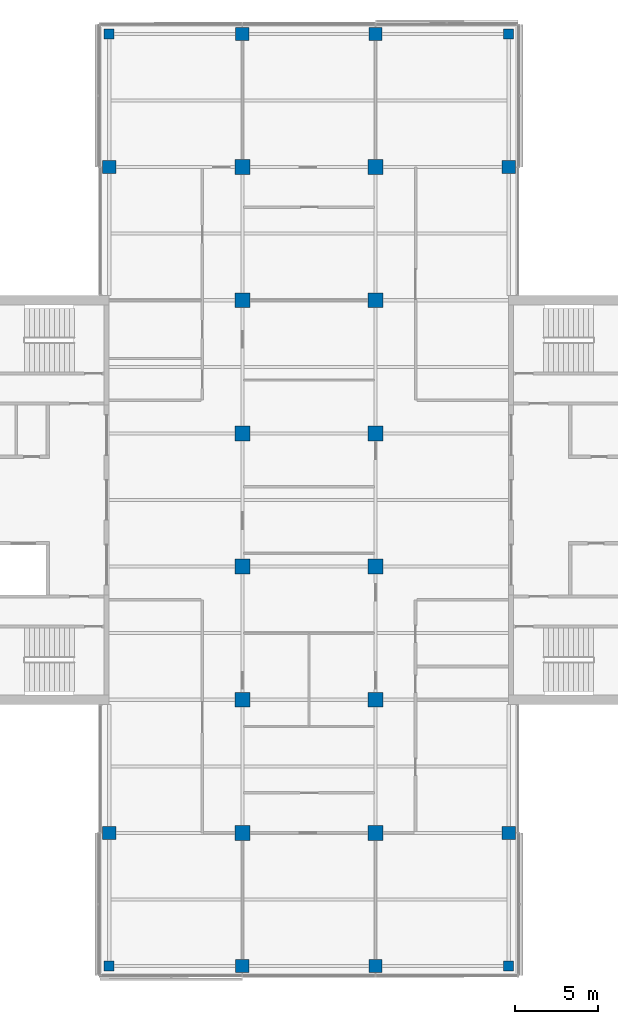
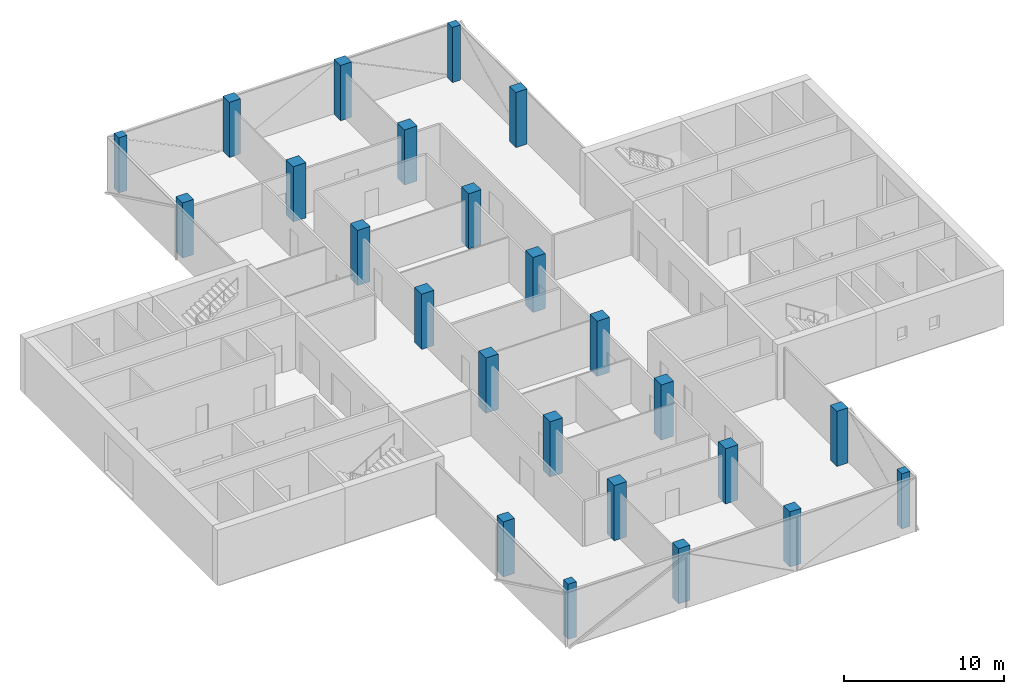
# One storey, part 1 of 15: 24 columns.
"""IFC4 building model written with IfcOpenShell, lengths in metres."""

from ifc_helpers import new_model, si_unit, direction, frame, origin, origin_2d, place, context, subcontext, project, spatial, rectangle, extrude, material, material_profile, profile_set, type_object, element, save


model = new_model("IFC4")

# Units and contexts
model_context = context("Model", 3, precision=1e-05, world=origin(), true_north=direction((0.0, 1.0)))
body_context = subcontext(model_context, "Body", "Model", "MODEL_VIEW")
ifc_project = project(units=[si_unit("LENGTHUNIT", "METRE"), si_unit("AREAUNIT", "SQUARE_METRE"), si_unit("VOLUMEUNIT", "CUBIC_METRE"), si_unit("PLANEANGLEUNIT", "RADIAN"), si_unit("MASSUNIT", "GRAM", prefix="KILO")], contexts=[model_context])

# Site, building, storey
site_placement = place(None, origin())
site = spatial("IfcSite", under=ifc_project, at=site_placement, CompositionType="ELEMENT")
building_placement = place(site_placement, origin())
building = spatial("IfcBuilding", under=site, at=building_placement, Name="Crosswind Convention Tower", CompositionType="ELEMENT")
storey_placement = place(building_placement, frame((0.0, 0.0, 183.10009765625)))
storey = spatial("IfcBuildingStorey", under=building, at=storey_placement, Name="L38", CompositionType="ELEMENT", Elevation=183.10009765625)

# Columns
ifc_material = material(Name="Concrete C60/75", Category="concrete")
ifc_material_profile_1 = material_profile(ifc_material, rectangle(XDim=0.60009765625, YDim=0.60009765625, at=origin_2d()), Name="RC 600X600")
ifc_profile_set_1 = profile_set([ifc_material_profile_1], Name="Concrete C60/75")
column_type_1 = type_object("IfcColumnType", Name="Column RC 600X600", PredefinedType="COLUMN", material=ifc_profile_set_1)
for number, where, z_axis, x_axis, name in (
    (1, (113.0, 72.0, 0.0), (0.0, 0.0, 1.0), (1.0, 0.0, 0.0), "C16 L38 5/C"),
    (2, (113.0, 128.0, 0.0), (0.0, 0.0, 1.0), (1.0, 0.0, 0.0), "C16 L38 5/J"),
    (3, (137.0, 72.0, 0.0), (0.0, 0.0, 1.0), (1.0, 0.0, 0.0), "C16 L38 8/C"),
    (4, (137.0, 128.0, 0.0), (0.0, 0.0, 1.0), (1.0, 0.0, 0.0), "C16 L38 8/J"),
):
    element("IfcColumn", number, at=place(storey_placement, frame(where, z_axis=z_axis, x_axis=x_axis)), inside=storey, type_object=column_type_1, Name=name, PredefinedType="COLUMN", context=body_context, shape_type="SweptSolid", body=[
        extrude(rectangle(XDim=0.60009765625, YDim=0.60009765625, at=origin_2d()), origin(), (0.0, 0.0, 1.0), 4.199951171875),
    ])
ifc_material_profile_2 = material_profile(ifc_material, rectangle(XDim=0.800048828125, YDim=0.800048828125, at=origin_2d()), Name="RC 800X800")
ifc_profile_set_2 = profile_set([ifc_material_profile_2], Name="Concrete C60/75")
column_type_2 = type_object("IfcColumnType", Name="Column RC 800X800", PredefinedType="COLUMN", material=ifc_profile_set_2)
for number, where, z_axis, x_axis, name in (
    (5, (113.0, 80.0, 0.0), (0.0, 0.0, 1.0), (1.0, 0.0, 0.0), "C14 L38 5/D"),
    (6, (113.0, 120.0, 0.0), (0.0, 0.0, 1.0), (1.0, 0.0, 0.0), "C14 L38 5/I"),
    (7, (121.0, 72.0, 0.0), (0.0, 0.0, 1.0), (1.0, 0.0, 0.0), "C14 L38 6/C"),
    (8, (121.0, 128.0, 0.0), (0.0, 0.0, 1.0), (1.0, 0.0, 0.0), "C14 L38 6/J"),
    (9, (129.0, 72.0, 0.0), (0.0, 0.0, 1.0), (1.0, 0.0, 0.0), "C14 L38 7/C"),
    (10, (129.0, 128.0, 0.0), (0.0, 0.0, 1.0), (1.0, 0.0, 0.0), "C14 L38 7/J"),
    (11, (137.0, 80.0, 0.0), (0.0, 0.0, 1.0), (1.0, 0.0, 0.0), "C14 L38 8/D"),
    (12, (137.0, 120.0, 0.0), (0.0, 0.0, 1.0), (1.0, 0.0, 0.0), "C14 L38 8/I"),
):
    element("IfcColumn", number, at=place(storey_placement, frame(where, z_axis=z_axis, x_axis=x_axis)), inside=storey, type_object=column_type_2, Name=name, PredefinedType="COLUMN", context=body_context, shape_type="SweptSolid", body=[
        extrude(rectangle(XDim=0.800048828125, YDim=0.800048828125, at=origin_2d()), origin(), (0.0, 0.0, 1.0), 4.199951171875),
    ])
ifc_material_profile_3 = material_profile(ifc_material, rectangle(XDim=0.89990234375, YDim=0.89990234375, at=origin_2d()), Name="RC 900X900")
ifc_profile_set_3 = profile_set([ifc_material_profile_3], Name="Concrete C60/75")
column_type_3 = type_object("IfcColumnType", Name="Column RC 900X900", PredefinedType="COLUMN", material=ifc_profile_set_3)
for number, where, z_axis, x_axis, name in (
    (13, (121.0, 80.0, 0.0), (0.0, 0.0, 1.0), (1.0, 0.0, 0.0), "C13 L38 6/D"),
    (14, (121.0, 88.0, 0.0), (0.0, 0.0, 1.0), (1.0, 0.0, 0.0), "C13 L38 6/E"),
    (15, (121.0, 96.0, 0.0), (0.0, 0.0, 1.0), (1.0, 0.0, 0.0), "C13 L38 6/F"),
    (16, (121.0, 104.0, 0.0), (0.0, 0.0, 1.0), (1.0, 0.0, 0.0), "C13 L38 6/G"),
    (17, (121.0, 112.0, 0.0), (0.0, 0.0, 1.0), (1.0, 0.0, 0.0), "C13 L38 6/H"),
    (18, (121.0, 120.0, 0.0), (0.0, 0.0, 1.0), (1.0, 0.0, 0.0), "C13 L38 6/I"),
    (19, (129.0, 80.0, 0.0), (0.0, 0.0, 1.0), (1.0, 0.0, 0.0), "C13 L38 7/D"),
    (20, (129.0, 88.0, 0.0), (0.0, 0.0, 1.0), (1.0, 0.0, 0.0), "C13 L38 7/E"),
    (21, (129.0, 96.0, 0.0), (0.0, 0.0, 1.0), (1.0, 0.0, 0.0), "C13 L38 7/F"),
    (22, (129.0, 104.0, 0.0), (0.0, 0.0, 1.0), (1.0, 0.0, 0.0), "C13 L38 7/G"),
    (23, (129.0, 112.0, 0.0), (0.0, 0.0, 1.0), (1.0, 0.0, 0.0), "C13 L38 7/H"),
    (24, (129.0, 120.0, 0.0), (0.0, 0.0, 1.0), (1.0, 0.0, 0.0), "C13 L38 7/I"),
):
    element("IfcColumn", number, at=place(storey_placement, frame(where, z_axis=z_axis, x_axis=x_axis)), inside=storey, type_object=column_type_3, Name=name, PredefinedType="COLUMN", context=body_context, shape_type="SweptSolid", body=[
        extrude(rectangle(XDim=0.89990234375, YDim=0.89990234375, at=origin_2d()), origin(), (0.0, 0.0, 1.0), 4.199951171875),
    ])

save(model, "model.ifc")
